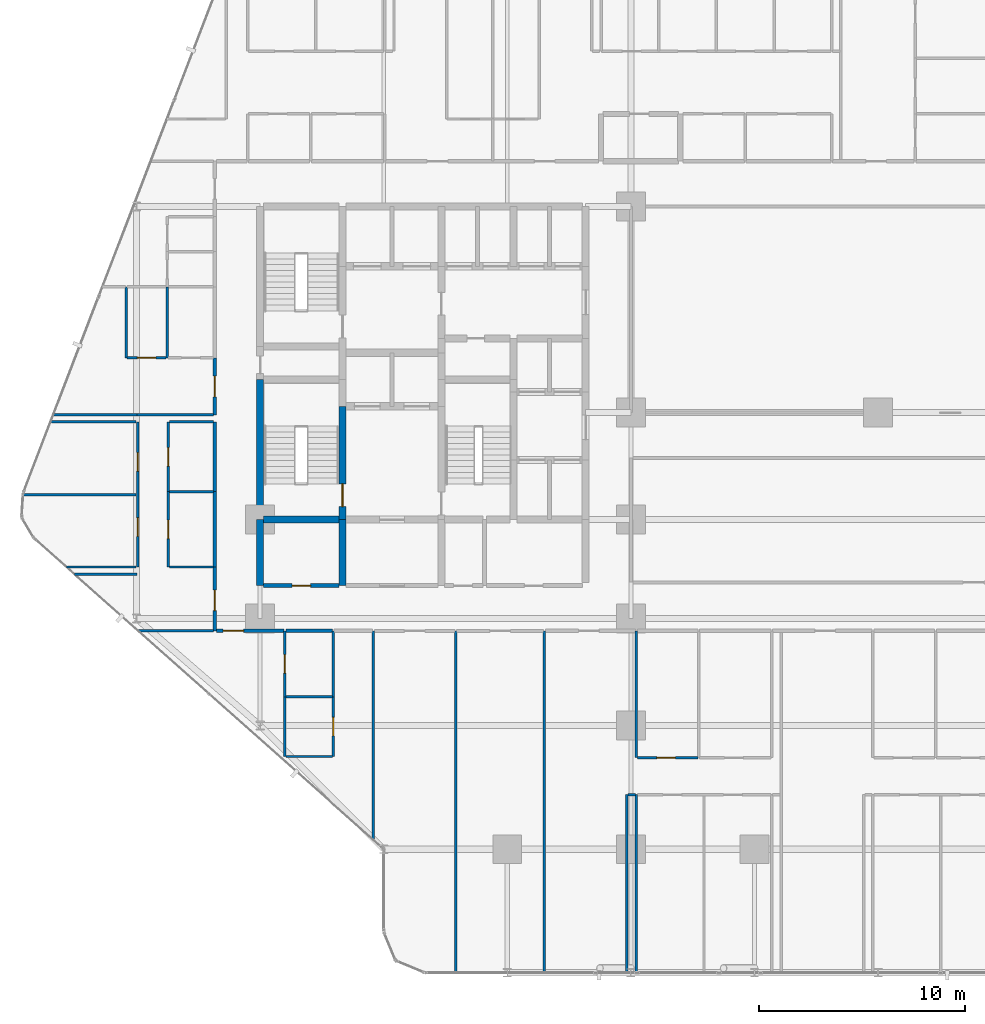
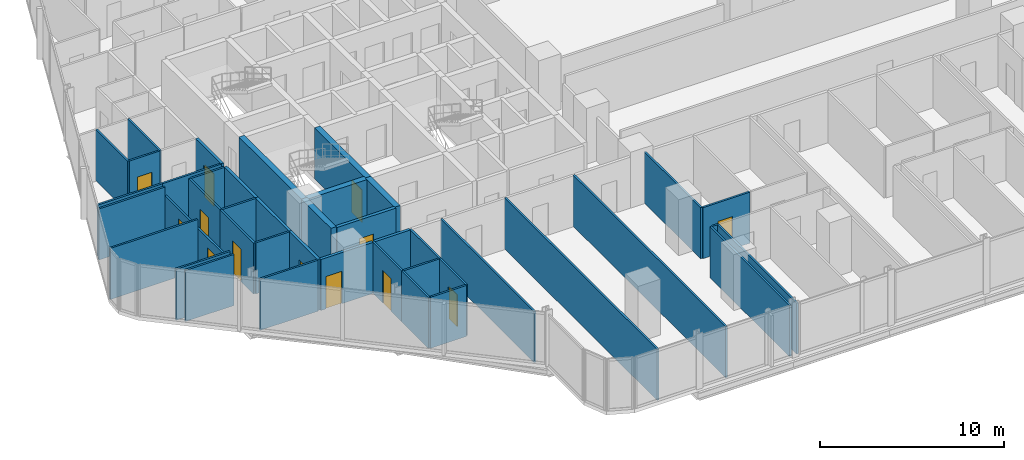
# One storey, part 26 of 34: 42 walls, 13 doors, 13 openings.
"""IFC4 building model written with IfcOpenShell, lengths in metres."""

from ifc_helpers import new_model, si_unit, direction, frame, frame_2d, origin, place, context, subcontext, project, spatial, rectangle, extrude, material, layer, layer_set, type_object, element, fill, save


model = new_model("IFC4")

# Units and contexts
model_context = context("Model", 3, precision=1e-05, world=origin(), true_north=direction((0.0, 1.0)))
body_context = subcontext(model_context, "Body", "Model", "MODEL_VIEW")
ifc_project = project(units=[si_unit("LENGTHUNIT", "METRE"), si_unit("AREAUNIT", "SQUARE_METRE"), si_unit("VOLUMEUNIT", "CUBIC_METRE"), si_unit("PLANEANGLEUNIT", "RADIAN"), si_unit("MASSUNIT", "GRAM", prefix="KILO")], contexts=[model_context])

# Site, building, storey
site_placement = place(None, origin())
site = spatial("IfcSite", under=ifc_project, at=site_placement, CompositionType="ELEMENT")
building_placement = place(site_placement, origin())
building = spatial("IfcBuilding", under=site, at=building_placement, Name="Keshet Zoharim Tower", CompositionType="ELEMENT")
storey_placement = place(building_placement, frame((0.0, 0.0, 46.199951171875)))
storey = spatial("IfcBuildingStorey", under=building, at=storey_placement, Name="L10", CompositionType="ELEMENT", Elevation=46.199951171875)

# Walls
ifc_material_1 = material(Name="Concrete C60/75", Category="concrete")
ifc_layer_1 = layer(ifc_material_1, 0.35009765625)
ifc_layer_set_1 = layer_set([ifc_layer_1], Name="Concrete C60/75")
wall_type_1 = type_object("IfcWallType", Name="WL-CORE-350", PredefinedType="SHEAR", material=ifc_layer_set_1)
wall_1_placement = place(storey_placement, frame((15.0, 19.5, 0.0), z_axis=(0.0, 0.0, 1.0), x_axis=(0.0, 1.0, 0.0)))
element("IfcWall", 1, at=wall_1_placement, inside=storey, type_object=wall_type_1, Name="L10 Core Shear Wall 019", PredefinedType="SHEAR", context=body_context, shape_type="SweptSolid", body=[
    extrude(rectangle(XDim=3.199951171875, YDim=0.35009765625, at=frame_2d((1.60009765625, 0.0))), origin(), (0.0, 0.0, 1.0), 3.385009765625),
])
wall_2_placement = place(storey_placement, frame((15.0, 22.699951171875, 0.0), z_axis=(0.0, 0.0, 1.0), x_axis=(0.0, 1.0, 0.0)))
element("IfcWall", 2, at=wall_2_placement, inside=storey, type_object=wall_type_1, Name="L10 Core Shear Wall 020", PredefinedType="SHEAR", context=body_context, shape_type="SweptSolid", body=[
    extrude(rectangle(XDim=6.800048828125, YDim=0.35009765625, at=frame_2d((3.39990234375, 0.0))), origin(), (0.0, 0.0, 1.0), 3.385009765625),
])
wall_3_placement = place(storey_placement, frame((19.0, 19.5, 0.0), z_axis=(0.0, 0.0, 1.0), x_axis=(0.0, 1.0, 0.0)))
element("IfcWall", 3, at=wall_3_placement, inside=storey, type_object=wall_type_1, Name="L10 Core Shear Wall 029", PredefinedType="SHEAR", context=body_context, shape_type="SweptSolid", body=[
    extrude(rectangle(XDim=3.199951171875, YDim=0.35009765625, at=frame_2d((1.60009765625, 0.0))), origin(), (0.0, 0.0, 1.0), 3.385009765625),
])

# Wall, opening, door
wall_4_placement = place(storey_placement, frame((19.0, 22.699951171875, 0.0), z_axis=(0.0, 0.0, 1.0), x_axis=(0.0, 1.0, 0.0)))
wall_4 = element("IfcWall", 4, at=wall_4_placement, inside=storey, type_object=wall_type_1, Name="L10 Core Shear Wall 030", PredefinedType="SHEAR", context=body_context, shape_type="SweptSolid", body=[
    extrude(rectangle(XDim=5.5, YDim=0.35009765625, at=frame_2d((2.75, 0.0))), origin(), (0.0, 0.0, 1.0), 3.385009765625),
])
opening_1_placement = place(wall_4_placement, frame((0.631103515625, 0.0, 0.0)))
opening_1 = element("IfcOpeningElement", 5, at=opening_1_placement, cuts=wall_4, Name="Opening D-F611", PredefinedType="OPENING", context=body_context, shape_type="SweptSolid", body=[
    extrude(rectangle(XDim=1.10009765625, YDim=2.14990234375, at=frame_2d((0.550048828125, 1.074951171875))), frame((0.0, 0.18505859375, 0.0), z_axis=(0.0, -1.0, 0.0), x_axis=(1.0, 0.0, 0.0)), (0.0, 0.0, 1.0), 0.3701171875),
])
ifc_material_2 = material(Name="Hardwood Timber", Category="wood")
door_type_1 = type_object("IfcDoorType", Name="DR-FD60-110", OperationType="NOTDEFINED", PredefinedType="DOOR", material=ifc_material_2)
door_1_placement = place(opening_1_placement, origin())
door_1 = element("IfcDoor", 6, at=door_1_placement, inside=storey, type_object=door_type_1, Name="L10 Exit Stair ST-01 Fire Door", OperationType="SINGLE_SWING_RIGHT", OverallHeight=2.14990234375, OverallWidth=1.10009765625, PredefinedType="DOOR", context=body_context, shape_type="SweptSolid", body=[
    extrude(rectangle(XDim=1.10009765625, YDim=2.14990234375, at=frame_2d((0.550048828125, 1.074951171875))), frame((0.0, 0.02490234375, 0.0), z_axis=(0.0, -1.0, 0.0), x_axis=(1.0, 0.0, 0.0)), (0.0, 0.0, 1.0), 0.050048828125),
])
fill(opening_1, door_1)

# Wall
wall_5_placement = place(storey_placement, frame((15.159912109375, 22.699951171875, 0.0), z_axis=(0.0, 0.0, 1.0), x_axis=(1.0, 0.0, 0.0)))
element("IfcWall", 7, at=wall_5_placement, inside=storey, type_object=wall_type_1, Name="L10 Core Shear Wall 161", PredefinedType="SHEAR", context=body_context, shape_type="SweptSolid", body=[
    extrude(rectangle(XDim=3.68017578125, YDim=0.35009765625, at=frame_2d((1.840087890625, 0.0))), origin(), (0.0, 0.0, 1.0), 3.385009765625),
])

# Wall, opening, door
ifc_material_3 = material(Name="Gypsum Plasterboard", Category="gypsum")
ifc_layer_2 = layer(ifc_material_3, 0.179931640625)
ifc_layer_set_2 = layer_set([ifc_layer_2], Name="Gypsum Plasterboard")
wall_type_2 = type_object("IfcWallType", Name="WL-CORR-180", PredefinedType="STANDARD", material=ifc_layer_set_2)
wall_6_placement = place(storey_placement, frame((12.800048828125, 17.300048828125, 0.0), z_axis=(0.0, 0.0, 1.0), x_axis=(0.0, 1.0, 0.0)))
wall_6 = element("IfcWall", 8, at=wall_6_placement, inside=storey, type_object=wall_type_2, Name="L10 Interior Wall 008", PredefinedType="STANDARD", context=body_context, shape_type="SweptSolid", body=[
    extrude(rectangle(XDim=3.099853515625, YDim=0.179931640625, at=frame_2d((1.5498046875, 0.0))), origin(), (0.0, 0.0, 1.0), 3.385009765625),
])
opening_2_placement = place(wall_6_placement, frame((0.97802734375, 0.0, 0.0)))
opening_2 = element("IfcOpeningElement", 9, at=opening_2_placement, cuts=wall_6, Name="Opening D-F310", PredefinedType="OPENING", context=body_context, shape_type="SweptSolid", body=[
    extrude(rectangle(XDim=1.0, YDim=2.14990234375, at=frame_2d((0.5, 1.074951171875))), frame((0.0, 0.10009765625, 0.0), z_axis=(0.0, -1.0, 0.0), x_axis=(1.0, 0.0, 0.0)), (0.0, 0.0, 1.0), 0.199951171875),
])
door_type_2 = type_object("IfcDoorType", Name="DR-FD30-100", OperationType="NOTDEFINED", PredefinedType="DOOR", material=ifc_material_2)
door_2_placement = place(opening_2_placement, origin())
door_2 = element("IfcDoor", 10, at=door_2_placement, inside=storey, type_object=door_type_2, Name="Apartment 1010 Entrance Door", OperationType="SINGLE_SWING_RIGHT", OverallHeight=2.14990234375, OverallWidth=1.0, PredefinedType="DOOR", context=body_context, shape_type="SweptSolid", body=[
    extrude(rectangle(XDim=1.0, YDim=2.14990234375, at=frame_2d((0.5, 1.074951171875))), frame((0.0, 0.02490234375, 0.0), z_axis=(0.0, -1.0, 0.0), x_axis=(1.0, 0.0, 0.0)), (0.0, 0.0, 1.0), 0.050048828125),
])
fill(opening_2, door_2)

# Walls
wall_7_placement = place(storey_placement, frame((12.800048828125, 20.39990234375, 0.0), z_axis=(0.0, 0.0, 1.0), x_axis=(0.0, 1.0, 0.0)))
element("IfcWall", 11, at=wall_7_placement, inside=storey, type_object=wall_type_2, Name="L10 Interior Wall 009", PredefinedType="STANDARD", context=body_context, shape_type="SweptSolid", body=[
    extrude(rectangle(XDim=3.6611328125, YDim=0.179931640625, at=frame_2d((1.83056640625, 0.0))), origin(), (0.0, 0.0, 1.0), 3.385009765625),
])
wall_8_placement = place(storey_placement, frame((12.800048828125, 24.06103515625, 0.0), z_axis=(0.0, 0.0, 1.0), x_axis=(0.0, 1.0, 0.0)))
element("IfcWall", 12, at=wall_8_placement, inside=storey, type_object=wall_type_2, Name="L10 Interior Wall 010", PredefinedType="STANDARD", context=body_context, shape_type="SweptSolid", body=[
    extrude(rectangle(XDim=3.37890625, YDim=0.179931640625, at=frame_2d((1.689453125, 0.0))), origin(), (0.0, 0.0, 1.0), 3.385009765625),
])

# Wall, opening, door
wall_9_placement = place(storey_placement, frame((12.800048828125, 27.7900390625, 0.0), z_axis=(0.0, 0.0, 1.0), x_axis=(0.0, 1.0, 0.0)))
wall_9 = element("IfcWall", 13, at=wall_9_placement, inside=storey, type_object=wall_type_2, Name="L10 Interior Wall 011", PredefinedType="STANDARD", context=body_context, shape_type="SweptSolid", body=[
    extrude(rectangle(XDim=2.75, YDim=0.179931640625, at=frame_2d((1.375, 0.0))), origin(), (0.0, 0.0, 1.0), 3.385009765625),
])
opening_3_placement = place(wall_9_placement, frame((0.875, 0.0, 0.0)))
opening_3 = element("IfcOpeningElement", 14, at=opening_3_placement, cuts=wall_9, Name="Opening D-F310", PredefinedType="OPENING", context=body_context, shape_type="SweptSolid", body=[
    extrude(rectangle(XDim=1.0, YDim=2.14990234375, at=frame_2d((0.5, 1.074951171875))), frame((0.0, 0.10009765625, 0.0), z_axis=(0.0, -1.0, 0.0), x_axis=(1.0, 0.0, 0.0)), (0.0, 0.0, 1.0), 0.199951171875),
])
door_3_placement = place(opening_3_placement, origin())
door_3 = element("IfcDoor", 15, at=door_3_placement, inside=storey, type_object=door_type_2, Name="Apartment 1011 Entrance Door", OperationType="SINGLE_SWING_LEFT", OverallHeight=2.14990234375, OverallWidth=1.0, PredefinedType="DOOR", context=body_context, shape_type="SweptSolid", body=[
    extrude(rectangle(XDim=1.0, YDim=2.14990234375, at=frame_2d((0.5, 1.074951171875))), frame((0.0, 0.02490234375, 0.0), z_axis=(0.0, -1.0, 0.0), x_axis=(1.0, 0.0, 0.0)), (0.0, 0.0, 1.0), 0.050048828125),
])
fill(opening_3, door_3)

wall_10_placement = place(storey_placement, frame((12.875, 17.300048828125, 0.0), z_axis=(0.0, 0.0, 1.0), x_axis=(1.0, 0.0, 0.0)))
wall_10 = element("IfcWall", 16, at=wall_10_placement, inside=storey, type_object=wall_type_2, Name="L10 Interior Wall 137", PredefinedType="STANDARD", context=body_context, shape_type="SweptSolid", body=[
    extrude(rectangle(XDim=3.280029296875, YDim=0.179931640625, at=frame_2d((1.64013671875, 0.0))), origin(), (0.0, 0.0, 1.0), 3.385009765625),
])
opening_4_placement = place(wall_10_placement, frame((0.325927734375, 0.0, 0.0)))
opening_4 = element("IfcOpeningElement", 17, at=opening_4_placement, cuts=wall_10, Name="Opening D-F310", PredefinedType="OPENING", context=body_context, shape_type="SweptSolid", body=[
    extrude(rectangle(XDim=1.0, YDim=2.14990234375, at=frame_2d((0.5, 1.074951171875))), frame((0.0, 0.10009765625, 0.0), z_axis=(0.0, -1.0, 0.0), x_axis=(1.0, 0.0, 0.0)), (0.0, 0.0, 1.0), 0.199951171875),
])
door_4_placement = place(opening_4_placement, origin())
door_4 = element("IfcDoor", 18, at=door_4_placement, inside=storey, type_object=door_type_2, Name="Apartment 1001 Entrance Door", OperationType="SINGLE_SWING_RIGHT", OverallHeight=2.14990234375, OverallWidth=1.0, PredefinedType="DOOR", context=body_context, shape_type="SweptSolid", body=[
    extrude(rectangle(XDim=1.0, YDim=2.14990234375, at=frame_2d((0.5, 1.074951171875))), frame((0.0, 0.02490234375, 0.0), z_axis=(0.0, -1.0, 0.0), x_axis=(1.0, 0.0, 0.0)), (0.0, 0.0, 1.0), 0.050048828125),
])
fill(opening_4, door_4)

# Wall
wall_11_placement = place(storey_placement, frame((16.2451171875, 17.300048828125, 0.0), z_axis=(0.0, 0.0, 1.0), x_axis=(1.0, 0.0, 0.0)))
element("IfcWall", 19, at=wall_11_placement, inside=storey, type_object=wall_type_2, Name="L10 Interior Wall 138", PredefinedType="STANDARD", context=body_context, shape_type="SweptSolid", body=[
    extrude(rectangle(XDim=2.259765625, YDim=0.179931640625, at=frame_2d((1.1298828125, 0.0))), origin(), (0.0, 0.0, 1.0), 3.385009765625),
])

# Wall, opening, door
ifc_material_4 = material(Name="Concrete C50/60", Category="concrete")
ifc_layer_3 = layer(ifc_material_4, 0.199951171875)
ifc_layer_set_3 = layer_set([ifc_layer_3], Name="Concrete C50/60")
wall_type_3 = type_object("IfcWallType", Name="WL-FIRE-200", PredefinedType="STANDARD", material=ifc_layer_set_3)
wall_12_placement = place(storey_placement, frame((15.159912109375, 19.5, 0.0), z_axis=(0.0, 0.0, 1.0), x_axis=(1.0, 0.0, 0.0)))
wall_12 = element("IfcWall", 20, at=wall_12_placement, inside=storey, type_object=wall_type_3, Name="L10 Interior Wall 153", PredefinedType="STANDARD", context=body_context, shape_type="SweptSolid", body=[
    extrude(rectangle(XDim=3.68017578125, YDim=0.199951171875, at=frame_2d((1.840087890625, 0.0))), origin(), (0.0, 0.0, 1.0), 3.385009765625),
])
opening_5_placement = place(wall_12_placement, frame((1.389892578125, 0.0, 0.0)))
opening_5 = element("IfcOpeningElement", 21, at=opening_5_placement, cuts=wall_12, Name="Opening D-F690", PredefinedType="OPENING", context=body_context, shape_type="SweptSolid", body=[
    extrude(rectangle(XDim=0.89990234375, YDim=2.14990234375, at=frame_2d((0.449951171875, 1.074951171875))), frame((0.0, 0.10986328125, 0.0), z_axis=(0.0, -1.0, 0.0), x_axis=(1.0, 0.0, 0.0)), (0.0, 0.0, 1.0), 0.219970703125),
])
door_type_3 = type_object("IfcDoorType", Name="DR-FD60-090", OperationType="NOTDEFINED", PredefinedType="DOOR", material=ifc_material_2)
door_5_placement = place(opening_5_placement, origin())
door_5 = element("IfcDoor", 22, at=door_5_placement, inside=storey, type_object=door_type_3, Name="L10 Refuse Room Door", OperationType="SINGLE_SWING_LEFT", OverallHeight=2.14990234375, OverallWidth=0.89990234375, PredefinedType="DOOR", context=body_context, shape_type="SweptSolid", body=[
    extrude(rectangle(XDim=0.89990234375, YDim=2.14990234375, at=frame_2d((0.449951171875, 1.074951171875))), frame((0.0, 0.02490234375, 0.0), z_axis=(0.0, -1.0, 0.0), x_axis=(1.0, 0.0, 0.0)), (0.0, 0.0, 1.0), 0.050048828125),
])
fill(opening_5, door_5)

# Wall
ifc_layer_4 = layer(ifc_material_3, 0.1201171875)
ifc_layer_set_4 = layer_set([ifc_layer_4], Name="Gypsum Plasterboard")
wall_type_4 = type_object("IfcWallType", Name="WL-PART-120", PredefinedType="PARTITIONING", material=ifc_layer_set_4)
wall_13_placement = place(storey_placement, frame((8.5, 30.5400390625, 0.0), z_axis=(0.0, 0.0, 1.0), x_axis=(0.0, 1.0, 0.0)))
element("IfcWall", 23, at=wall_13_placement, inside=storey, type_object=wall_type_4, Name="L10 Interior Wall 001", PredefinedType="PARTITIONING", context=body_context, shape_type="SweptSolid", body=[
    extrude(rectangle(XDim=3.4599609375, YDim=0.1201171875, at=frame_2d((1.72998046875, 0.0))), origin(), (0.0, 0.0, 1.0), 3.385009765625),
])

# Wall, openings, doors
wall_14_placement = place(storey_placement, frame((9.050048828125, 20.39990234375, 0.0), z_axis=(0.0, 0.0, 1.0), x_axis=(0.0, 1.0, 0.0)))
wall_14 = element("IfcWall", 24, at=wall_14_placement, inside=storey, type_object=wall_type_4, Name="L10 Interior Wall 002", PredefinedType="PARTITIONING", context=body_context, shape_type="SweptSolid", body=[
    extrude(rectangle(XDim=7.0400390625, YDim=0.1201171875, at=frame_2d((3.52001953125, 0.0))), origin(), (0.0, 0.0, 1.0), 2.78515625),
])
opening_6_placement = place(wall_14_placement, frame((1.485107421875, 0.0, 0.0)))
opening_6 = element("IfcOpeningElement", 25, at=opening_6_placement, cuts=wall_14, Name="Opening D-IN90", PredefinedType="OPENING", context=body_context, shape_type="SweptSolid", body=[
    extrude(rectangle(XDim=0.89990234375, YDim=2.14990234375, at=frame_2d((0.449951171875, 1.074951171875))), frame((0.0, 0.070068359375, 0.0), z_axis=(0.0, -1.0, 0.0), x_axis=(1.0, 0.0, 0.0)), (0.0, 0.0, 1.0), 0.14013671875),
])
opening_7_placement = place(wall_14_placement, frame((4.655029296875, 0.0, 0.0)))
opening_7 = element("IfcOpeningElement", 26, at=opening_7_placement, cuts=wall_14, Name="Opening D-IN90", PredefinedType="OPENING", context=body_context, shape_type="SweptSolid", body=[
    extrude(rectangle(XDim=0.89990234375, YDim=2.14990234375, at=frame_2d((0.449951171875, 1.074951171875))), frame((0.0, 0.070068359375, 0.0), z_axis=(0.0, -1.0, 0.0), x_axis=(1.0, 0.0, 0.0)), (0.0, 0.0, 1.0), 0.14013671875),
])
door_type_4 = type_object("IfcDoorType", Name="DR-INT-090", OperationType="NOTDEFINED", PredefinedType="DOOR", material=ifc_material_2)
door_6_placement = place(opening_6_placement, origin())
door_6 = element("IfcDoor", 27, at=door_6_placement, inside=storey, type_object=door_type_4, Name="Apartment 1010 Bedroom 1 Door", OperationType="SINGLE_SWING_RIGHT", OverallHeight=2.14990234375, OverallWidth=0.89990234375, PredefinedType="DOOR", context=body_context, shape_type="SweptSolid", body=[
    extrude(rectangle(XDim=0.89990234375, YDim=2.14990234375, at=frame_2d((0.449951171875, 1.074951171875))), frame((0.0, 0.02490234375, 0.0), z_axis=(0.0, -1.0, 0.0), x_axis=(1.0, 0.0, 0.0)), (0.0, 0.0, 1.0), 0.050048828125),
])
fill(opening_6, door_6)
door_7_placement = place(opening_7_placement, origin())
door_7 = element("IfcDoor", 28, at=door_7_placement, inside=storey, type_object=door_type_4, Name="Apartment 1010 Bedroom 2 Door", OperationType="SINGLE_SWING_LEFT", OverallHeight=2.14990234375, OverallWidth=0.89990234375, PredefinedType="DOOR", context=body_context, shape_type="SweptSolid", body=[
    extrude(rectangle(XDim=0.89990234375, YDim=2.14990234375, at=frame_2d((0.449951171875, 1.074951171875))), frame((0.0, 0.02490234375, 0.0), z_axis=(0.0, -1.0, 0.0), x_axis=(1.0, 0.0, 0.0)), (0.0, 0.0, 1.0), 0.050048828125),
])
fill(opening_7, door_7)

# Wall, opening, door
wall_15_placement = place(storey_placement, frame((10.550048828125, 20.39990234375, 0.0), z_axis=(0.0, 0.0, 1.0), x_axis=(0.0, 1.0, 0.0)))
wall_15 = element("IfcWall", 29, at=wall_15_placement, inside=storey, type_object=wall_type_4, Name="L10 Interior Wall 006", PredefinedType="PARTITIONING", context=body_context, shape_type="SweptSolid", body=[
    extrude(rectangle(XDim=3.6611328125, YDim=0.1201171875, at=frame_2d((1.83056640625, 0.0))), origin(), (0.0, 0.0, 1.0), 3.385009765625),
])
opening_8_placement = place(wall_15_placement, frame((1.3798828125, 0.0, 0.0)))
opening_8 = element("IfcOpeningElement", 30, at=opening_8_placement, cuts=wall_15, Name="Opening D-IN90", PredefinedType="OPENING", context=body_context, shape_type="SweptSolid", body=[
    extrude(rectangle(XDim=0.89990234375, YDim=2.14990234375, at=frame_2d((0.449951171875, 1.074951171875))), frame((0.0, 0.070068359375, 0.0), z_axis=(0.0, -1.0, 0.0), x_axis=(1.0, 0.0, 0.0)), (0.0, 0.0, 1.0), 0.14013671875),
])
door_8_placement = place(opening_8_placement, origin())
door_8 = element("IfcDoor", 31, at=door_8_placement, inside=storey, type_object=door_type_4, Name="Apartment 1010 Kitchen Door", OperationType="SINGLE_SWING_RIGHT", OverallHeight=2.14990234375, OverallWidth=0.89990234375, PredefinedType="DOOR", context=body_context, shape_type="SweptSolid", body=[
    extrude(rectangle(XDim=0.89990234375, YDim=2.14990234375, at=frame_2d((0.449951171875, 1.074951171875))), frame((0.0, 0.02490234375, 0.0), z_axis=(0.0, -1.0, 0.0), x_axis=(1.0, 0.0, 0.0)), (0.0, 0.0, 1.0), 0.050048828125),
])
fill(opening_8, door_8)

wall_16_placement = place(storey_placement, frame((16.199951171875, 14.10009765625, 0.0), z_axis=(0.0, 0.0, 1.0), x_axis=(0.0, 1.0, 0.0)))
wall_16 = element("IfcWall", 32, at=wall_16_placement, inside=storey, type_object=wall_type_4, Name="L10 Interior Wall 024", PredefinedType="PARTITIONING", context=body_context, shape_type="SweptSolid", body=[
    extrude(rectangle(XDim=3.199951171875, YDim=0.1201171875, at=frame_2d((1.60009765625, 0.0))), origin(), (0.0, 0.0, 1.0), 3.385009765625),
])
opening_9_placement = place(wall_16_placement, frame((1.14990234375, 0.0, 0.0)))
opening_9 = element("IfcOpeningElement", 33, at=opening_9_placement, cuts=wall_16, Name="Opening D-IN90", PredefinedType="OPENING", context=body_context, shape_type="SweptSolid", body=[
    extrude(rectangle(XDim=0.89990234375, YDim=2.14990234375, at=frame_2d((0.449951171875, 1.074951171875))), frame((0.0, 0.070068359375, 0.0), z_axis=(0.0, -1.0, 0.0), x_axis=(1.0, 0.0, 0.0)), (0.0, 0.0, 1.0), 0.14013671875),
])
door_9_placement = place(opening_9_placement, origin())
door_9 = element("IfcDoor", 34, at=door_9_placement, inside=storey, type_object=door_type_4, Name="Apartment 1001 Kitchenette Door", OperationType="SINGLE_SWING_RIGHT", OverallHeight=2.14990234375, OverallWidth=0.89990234375, PredefinedType="DOOR", context=body_context, shape_type="SweptSolid", body=[
    extrude(rectangle(XDim=0.89990234375, YDim=2.14990234375, at=frame_2d((0.449951171875, 1.074951171875))), frame((0.0, 0.02490234375, 0.0), z_axis=(0.0, -1.0, 0.0), x_axis=(1.0, 0.0, 0.0)), (0.0, 0.0, 1.0), 0.050048828125),
])
fill(opening_9, door_9)

# Walls
wall_17_placement = place(storey_placement, frame((18.550048828125, 14.10009765625, 0.0), z_axis=(0.0, 0.0, 1.0), x_axis=(0.0, 1.0, 0.0)))
element("IfcWall", 35, at=wall_17_placement, inside=storey, type_object=wall_type_4, Name="L10 Interior Wall 028", PredefinedType="PARTITIONING", context=body_context, shape_type="SweptSolid", body=[
    extrude(rectangle(XDim=3.199951171875, YDim=0.1201171875, at=frame_2d((1.60009765625, 0.0))), origin(), (0.0, 0.0, 1.0), 3.385009765625),
])
wall_18_placement = place(storey_placement, frame((20.5, 7.154052734375, 0.0), z_axis=(0.0, 0.0, 1.0), x_axis=(0.0, 1.0, 0.0)))
element("IfcWall", 36, at=wall_18_placement, inside=storey, type_object=wall_type_4, Name="L10 Interior Wall 034", PredefinedType="PARTITIONING", context=body_context, shape_type="SweptSolid", body=[
    extrude(rectangle(XDim=10.14599609375, YDim=0.1201171875, at=frame_2d((5.072998046875, 0.0))), origin(), (0.0, 0.0, 1.0), 3.385009765625),
])
for number, where, z_axis, x_axis, name in (
    (37, (24.5, 0.7099609375, 0.0), (0.0, 0.0, 1.0), (0.0, 1.0, 0.0), "L10 Interior Wall 048"),
    (38, (28.800048828125, 0.7099609375, 0.0), (0.0, 0.0, 1.0), (0.0, 1.0, 0.0), "L10 Interior Wall 059"),
):
    element("IfcWall", number, at=place(storey_placement, frame(where, z_axis=z_axis, x_axis=x_axis)), inside=storey, type_object=wall_type_4, Name=name, PredefinedType="PARTITIONING", context=body_context, shape_type="SweptSolid", body=[
        extrude(rectangle(XDim=16.590087890625, YDim=0.1201171875, at=frame_2d((8.294921875, 0.0))), origin(), (0.0, 0.0, 1.0), 3.385009765625),
    ])
for number, where, z_axis, x_axis, name in (
    (39, (32.800048828125, 0.7099609375, 0.0), (0.0, 0.0, 1.0), (0.0, 1.0, 0.0), "L10 Interior Wall 072"),
    (40, (33.25, 0.7099609375, 0.0), (0.0, 0.0, 1.0), (0.0, 1.0, 0.0), "L10 Interior Wall 075"),
):
    element("IfcWall", number, at=place(storey_placement, frame(where, z_axis=z_axis, x_axis=x_axis)), inside=storey, type_object=wall_type_4, Name=name, PredefinedType="PARTITIONING", context=body_context, shape_type="SweptSolid", body=[
        extrude(rectangle(XDim=8.64013671875, YDim=0.1201171875, at=frame_2d((4.320068359375, 0.0))), origin(), (0.0, 0.0, 1.0), 3.385009765625),
    ])
wall_19_placement = place(storey_placement, frame((33.25, 11.14990234375, 0.0), z_axis=(0.0, 0.0, 1.0), x_axis=(0.0, 1.0, 0.0)))
element("IfcWall", 41, at=wall_19_placement, inside=storey, type_object=wall_type_4, Name="L10 Interior Wall 076", PredefinedType="PARTITIONING", context=body_context, shape_type="SweptSolid", body=[
    extrude(rectangle(XDim=6.150146484375, YDim=0.1201171875, at=frame_2d((3.0751953125, 0.0))), origin(), (0.0, 0.0, 1.0), 3.385009765625),
])
wall_20_placement = place(storey_placement, frame((32.864990234375, 9.35009765625, 0.0), z_axis=(0.0, 0.0, 1.0), x_axis=(1.0, 0.0, 0.0)))
element("IfcWall", 42, at=wall_20_placement, inside=storey, type_object=wall_type_4, Name="L10 Interior Wall 120", PredefinedType="PARTITIONING", context=body_context, shape_type="SweptSolid", body=[
    extrude(rectangle(XDim=0.360107421875, YDim=0.1201171875, at=frame_2d((0.18017578125, 0.0))), origin(), (0.0, 0.0, 1.0), 3.385009765625),
])

# Wall, opening, door
wall_21_placement = place(storey_placement, frame((33.31494140625, 11.14990234375, 0.0), z_axis=(0.0, 0.0, 1.0), x_axis=(1.0, 0.0, 0.0)))
wall_21 = element("IfcWall", 43, at=wall_21_placement, inside=storey, type_object=wall_type_4, Name="L10 Interior Wall 126", PredefinedType="PARTITIONING", context=body_context, shape_type="SweptSolid", body=[
    extrude(rectangle(XDim=2.93212890625, YDim=0.1201171875, at=frame_2d((1.466064453125, 0.0))), origin(), (0.0, 0.0, 1.0), 3.385009765625),
])
opening_10_placement = place(wall_21_placement, frame((0.943115234375, 0.0, 0.0)))
opening_10 = element("IfcOpeningElement", 44, at=opening_10_placement, cuts=wall_21, Name="Opening D-IN90", PredefinedType="OPENING", context=body_context, shape_type="SweptSolid", body=[
    extrude(rectangle(XDim=0.89990234375, YDim=2.14990234375, at=frame_2d((0.449951171875, 1.074951171875))), frame((0.0, 0.070068359375, 0.0), z_axis=(0.0, -1.0, 0.0), x_axis=(1.0, 0.0, 0.0)), (0.0, 0.0, 1.0), 0.14013671875),
])
door_10_placement = place(opening_10_placement, origin())
door_10 = element("IfcDoor", 45, at=door_10_placement, inside=storey, type_object=door_type_4, Name="Apartment 1002 Kitchen Door", OperationType="SINGLE_SWING_RIGHT", OverallHeight=2.14990234375, OverallWidth=0.89990234375, PredefinedType="DOOR", context=body_context, shape_type="SweptSolid", body=[
    extrude(rectangle(XDim=0.89990234375, YDim=2.14990234375, at=frame_2d((0.449951171875, 1.074951171875))), frame((0.0, 0.02490234375, 0.0), z_axis=(0.0, -1.0, 0.0), x_axis=(1.0, 0.0, 0.0)), (0.0, 0.0, 1.0), 0.050048828125),
])
fill(opening_10, door_10)

# Walls
wall_22_placement = place(storey_placement, frame((9.0849609375, 17.300048828125, 0.0), z_axis=(0.0, 0.0, 1.0), x_axis=(1.0, 0.0, 0.0)))
element("IfcWall", 46, at=wall_22_placement, inside=storey, type_object=wall_type_4, Name="L10 Interior Wall 136", PredefinedType="PARTITIONING", context=body_context, shape_type="SweptSolid", body=[
    extrude(rectangle(XDim=3.64013671875, YDim=0.1201171875, at=frame_2d((1.820068359375, 0.0))), origin(), (0.0, 0.0, 1.0), 3.385009765625),
])
wall_23_placement = place(storey_placement, frame((5.990966796875, 20.050048828125, 0.0), z_axis=(0.0, 0.0, 1.0), x_axis=(1.0, 0.0, 0.0)))
element("IfcWall", 47, at=wall_23_placement, inside=storey, type_object=wall_type_4, Name="L10 Interior Wall 158", PredefinedType="PARTITIONING", context=body_context, shape_type="SweptSolid", body=[
    extrude(rectangle(XDim=3.0390625, YDim=0.1201171875, at=frame_2d((1.51953125, 0.0))), origin(), (0.0, 0.0, 1.0), 3.385009765625),
])
wall_24_placement = place(storey_placement, frame((5.597900390625, 20.39990234375, 0.0), z_axis=(0.0, 0.0, 1.0), x_axis=(1.0, 0.0, 0.0)))
element("IfcWall", 48, at=wall_24_placement, inside=storey, type_object=wall_type_4, Name="L10 Interior Wall 159", PredefinedType="PARTITIONING", context=body_context, shape_type="SweptSolid", body=[
    extrude(rectangle(XDim=3.38720703125, YDim=0.1201171875, at=frame_2d((1.693603515625, 0.0))), origin(), (0.0, 0.0, 1.0), 3.385009765625),
])
wall_25_placement = place(storey_placement, frame((10.594970703125, 20.39990234375, 0.0), z_axis=(0.0, 0.0, 1.0), x_axis=(1.0, 0.0, 0.0)))
element("IfcWall", 49, at=wall_25_placement, inside=storey, type_object=wall_type_4, Name="L10 Interior Wall 160", PredefinedType="PARTITIONING", context=body_context, shape_type="SweptSolid", body=[
    extrude(rectangle(XDim=2.130126953125, YDim=0.1201171875, at=frame_2d((1.06494140625, 0.0))), origin(), (0.0, 0.0, 1.0), 3.385009765625),
])
wall_26_placement = place(storey_placement, frame((3.5009765625, 23.89990234375, 0.0), z_axis=(0.0, 0.0, 1.0), x_axis=(1.0, 0.0, 0.0)))
element("IfcWall", 50, at=wall_26_placement, inside=storey, type_object=wall_type_4, Name="L10 Interior Wall 166", PredefinedType="PARTITIONING", context=body_context, shape_type="SweptSolid", body=[
    extrude(rectangle(XDim=5.484130859375, YDim=0.1201171875, at=frame_2d((2.7421875, 0.0))), origin(), (0.0, 0.0, 1.0), 3.385009765625),
])
wall_27_placement = place(storey_placement, frame((4.8369140625, 27.449951171875, 0.0), z_axis=(0.0, 0.0, 1.0), x_axis=(1.0, 0.0, 0.0)))
element("IfcWall", 51, at=wall_27_placement, inside=storey, type_object=wall_type_4, Name="L10 Interior Wall 170", PredefinedType="PARTITIONING", context=body_context, shape_type="SweptSolid", body=[
    extrude(rectangle(XDim=4.148193359375, YDim=0.1201171875, at=frame_2d((2.07421875, 0.0))), origin(), (0.0, 0.0, 1.0), 3.385009765625),
])
wall_28_placement = place(storey_placement, frame((4.970947265625, 27.800048828125, 0.0), z_axis=(0.0, 0.0, 1.0), x_axis=(1.0, 0.0, 0.0)))
element("IfcWall", 52, at=wall_28_placement, inside=storey, type_object=wall_type_4, Name="L10 Interior Wall 172", PredefinedType="PARTITIONING", context=body_context, shape_type="SweptSolid", body=[
    extrude(rectangle(XDim=4.05908203125, YDim=0.1201171875, at=frame_2d((2.029541015625, 0.0))), origin(), (0.0, 0.0, 1.0), 3.385009765625),
])
wall_29_placement = place(storey_placement, frame((9.030029296875, 27.800048828125, 0.0), z_axis=(0.0, 0.0, 1.0), x_axis=(1.0, 0.0, 0.0)))
element("IfcWall", 53, at=wall_29_placement, inside=storey, type_object=wall_type_4, Name="L10 Interior Wall 173", PredefinedType="PARTITIONING", context=body_context, shape_type="SweptSolid", body=[
    extrude(rectangle(XDim=3.695068359375, YDim=0.1201171875, at=frame_2d((1.84765625, 0.0))), origin(), (0.0, 0.0, 1.0), 3.385009765625),
])

# Wall, opening, door
wall_30_placement = place(storey_placement, frame((8.544921875, 30.550048828125, 0.0), z_axis=(0.0, 0.0, 1.0), x_axis=(1.0, 0.0, 0.0)))
wall_30 = element("IfcWall", 54, at=wall_30_placement, inside=storey, type_object=wall_type_4, Name="L10 Interior Wall 179", PredefinedType="PARTITIONING", context=body_context, shape_type="SweptSolid", body=[
    extrude(rectangle(XDim=1.88818359375, YDim=0.1201171875, at=frame_2d((0.944091796875, 0.0))), origin(), (0.0, 0.0, 1.0), 3.385009765625),
])
opening_11_placement = place(wall_30_placement, frame((0.493896484375, 0.0, 0.0)))
opening_11 = element("IfcOpeningElement", 55, at=opening_11_placement, cuts=wall_30, Name="Opening D-IN90", PredefinedType="OPENING", context=body_context, shape_type="SweptSolid", body=[
    extrude(rectangle(XDim=0.89990234375, YDim=2.14990234375, at=frame_2d((0.449951171875, 1.074951171875))), frame((0.0, 0.070068359375, 0.0), z_axis=(0.0, -1.0, 0.0), x_axis=(1.0, 0.0, 0.0)), (0.0, 0.0, 1.0), 0.14013671875),
])
door_11_placement = place(opening_11_placement, origin())
door_11 = element("IfcDoor", 56, at=door_11_placement, inside=storey, type_object=door_type_4, Name="Apartment 1011 Kitchen Door", OperationType="SINGLE_SWING_RIGHT", OverallHeight=2.14990234375, OverallWidth=0.89990234375, PredefinedType="DOOR", context=body_context, shape_type="SweptSolid", body=[
    extrude(rectangle(XDim=0.89990234375, YDim=2.14990234375, at=frame_2d((0.449951171875, 1.074951171875))), frame((0.0, 0.02490234375, 0.0), z_axis=(0.0, -1.0, 0.0), x_axis=(1.0, 0.0, 0.0)), (0.0, 0.0, 1.0), 0.050048828125),
])
fill(opening_11, door_11)

# Wall
ifc_layer_5 = layer(ifc_material_3, 0.1201171875)
ifc_layer_set_5 = layer_set([ifc_layer_5], Name="Gypsum Plasterboard")
wall_type_5 = type_object("IfcWallType", Name="WL-WET-120", PredefinedType="PARTITIONING", material=ifc_layer_set_5)
wall_31_placement = place(storey_placement, frame((10.5, 30.5400390625, 0.0), z_axis=(0.0, 0.0, 1.0), x_axis=(0.0, 1.0, 0.0)))
element("IfcWall", 57, at=wall_31_placement, inside=storey, type_object=wall_type_5, Name="L10 Interior Wall 003", PredefinedType="PARTITIONING", context=body_context, shape_type="SweptSolid", body=[
    extrude(rectangle(XDim=3.4599609375, YDim=0.1201171875, at=frame_2d((1.72998046875, 0.0))), origin(), (0.0, 0.0, 1.0), 3.385009765625),
])

# Wall, opening, door
wall_32_placement = place(storey_placement, frame((10.550048828125, 24.06103515625, 0.0), z_axis=(0.0, 0.0, 1.0), x_axis=(0.0, 1.0, 0.0)))
wall_32 = element("IfcWall", 58, at=wall_32_placement, inside=storey, type_object=wall_type_5, Name="L10 Interior Wall 007", PredefinedType="PARTITIONING", context=body_context, shape_type="SweptSolid", body=[
    extrude(rectangle(XDim=3.37890625, YDim=0.1201171875, at=frame_2d((1.689453125, 0.0))), origin(), (0.0, 0.0, 1.0), 3.385009765625),
])
opening_12_placement = place(wall_32_placement, frame((1.239013671875, 0.0, 0.0)))
opening_12 = element("IfcOpeningElement", 59, at=opening_12_placement, cuts=wall_32, Name="Opening D-WT90", PredefinedType="OPENING", context=body_context, shape_type="SweptSolid", body=[
    extrude(rectangle(XDim=0.89990234375, YDim=2.10009765625, at=frame_2d((0.449951171875, 1.050048828125))), frame((0.0, 0.070068359375, 0.0), z_axis=(0.0, -1.0, 0.0), x_axis=(1.0, 0.0, 0.0)), (0.0, 0.0, 1.0), 0.14013671875),
])
door_type_5 = type_object("IfcDoorType", Name="DR-WET-090", OperationType="NOTDEFINED", PredefinedType="DOOR", material=ifc_material_2)
door_12_placement = place(opening_12_placement, origin())
door_12 = element("IfcDoor", 60, at=door_12_placement, inside=storey, type_object=door_type_5, Name="Apartment 1010 Bathroom Door", OperationType="SINGLE_SWING_LEFT", OverallHeight=2.10009765625, OverallWidth=0.89990234375, PredefinedType="DOOR", context=body_context, shape_type="SweptSolid", body=[
    extrude(rectangle(XDim=0.89990234375, YDim=2.10009765625, at=frame_2d((0.449951171875, 1.050048828125))), frame((0.0, 0.02490234375, 0.0), z_axis=(0.0, -1.0, 0.0), x_axis=(1.0, 0.0, 0.0)), (0.0, 0.0, 1.0), 0.050048828125),
])
fill(opening_12, door_12)

# Wall
wall_33_placement = place(storey_placement, frame((16.199951171875, 11.199951171875, 0.0), z_axis=(0.0, 0.0, 1.0), x_axis=(0.0, 1.0, 0.0)))
element("IfcWall", 61, at=wall_33_placement, inside=storey, type_object=wall_type_5, Name="L10 Interior Wall 023", PredefinedType="PARTITIONING", context=body_context, shape_type="SweptSolid", body=[
    extrude(rectangle(XDim=2.900146484375, YDim=0.1201171875, at=frame_2d((1.4501953125, 0.0))), origin(), (0.0, 0.0, 1.0), 3.385009765625),
])

# Wall, opening, door
wall_34_placement = place(storey_placement, frame((18.550048828125, 11.199951171875, 0.0), z_axis=(0.0, 0.0, 1.0), x_axis=(0.0, 1.0, 0.0)))
wall_34 = element("IfcWall", 62, at=wall_34_placement, inside=storey, type_object=wall_type_5, Name="L10 Interior Wall 027", PredefinedType="PARTITIONING", context=body_context, shape_type="SweptSolid", body=[
    extrude(rectangle(XDim=2.900146484375, YDim=0.1201171875, at=frame_2d((1.4501953125, 0.0))), origin(), (0.0, 0.0, 1.0), 3.385009765625),
])
opening_13_placement = place(wall_34_placement, frame((1.0, 0.0, 0.0)))
opening_13 = element("IfcOpeningElement", 63, at=opening_13_placement, cuts=wall_34, Name="Opening D-WT90", PredefinedType="OPENING", context=body_context, shape_type="SweptSolid", body=[
    extrude(rectangle(XDim=0.89990234375, YDim=2.10009765625, at=frame_2d((0.449951171875, 1.050048828125))), frame((0.0, 0.070068359375, 0.0), z_axis=(0.0, -1.0, 0.0), x_axis=(1.0, 0.0, 0.0)), (0.0, 0.0, 1.0), 0.14013671875),
])
door_13_placement = place(opening_13_placement, origin())
door_13 = element("IfcDoor", 64, at=door_13_placement, inside=storey, type_object=door_type_5, Name="Apartment 1001 Bathroom Door", OperationType="SINGLE_SWING_LEFT", OverallHeight=2.10009765625, OverallWidth=0.89990234375, PredefinedType="DOOR", context=body_context, shape_type="SweptSolid", body=[
    extrude(rectangle(XDim=0.89990234375, YDim=2.10009765625, at=frame_2d((0.449951171875, 1.050048828125))), frame((0.0, 0.02490234375, 0.0), z_axis=(0.0, -1.0, 0.0), x_axis=(1.0, 0.0, 0.0)), (0.0, 0.0, 1.0), 0.050048828125),
])
fill(opening_13, door_13)

# Walls
for number, where, z_axis, x_axis, name in (
    (65, (16.2451171875, 11.199951171875, 0.0), (0.0, 0.0, 1.0), (1.0, 0.0, 0.0), "L10 Interior Wall 130"),
    (66, (16.2451171875, 14.10009765625, 0.0), (0.0, 0.0, 1.0), (1.0, 0.0, 0.0), "L10 Interior Wall 133"),
):
    element("IfcWall", number, at=place(storey_placement, frame(where, z_axis=z_axis, x_axis=x_axis)), inside=storey, type_object=wall_type_5, Name=name, PredefinedType="PARTITIONING", context=body_context, shape_type="SweptSolid", body=[
        extrude(rectangle(XDim=2.259765625, YDim=0.1201171875, at=frame_2d((1.1298828125, 0.0))), origin(), (0.0, 0.0, 1.0), 3.385009765625),
    ])
for number, where, z_axis, x_axis, name in (
    (67, (10.594970703125, 24.050048828125, 0.0), (0.0, 0.0, 1.0), (1.0, 0.0, 0.0), "L10 Interior Wall 167"),
    (68, (10.594970703125, 27.449951171875, 0.0), (0.0, 0.0, 1.0), (1.0, 0.0, 0.0), "L10 Interior Wall 171"),
):
    element("IfcWall", number, at=place(storey_placement, frame(where, z_axis=z_axis, x_axis=x_axis)), inside=storey, type_object=wall_type_5, Name=name, PredefinedType="PARTITIONING", context=body_context, shape_type="SweptSolid", body=[
        extrude(rectangle(XDim=2.130126953125, YDim=0.1201171875, at=frame_2d((1.06494140625, 0.0))), origin(), (0.0, 0.0, 1.0), 3.385009765625),
    ])

save(model, "model.ifc")
